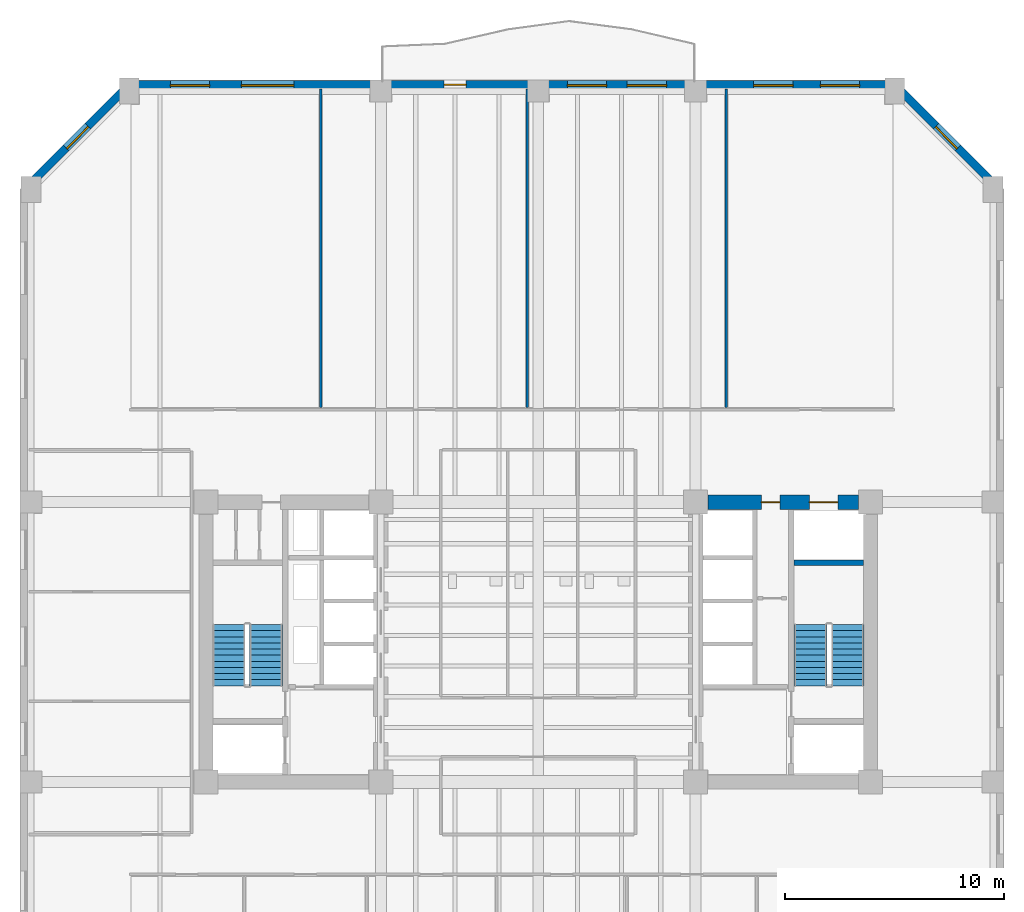
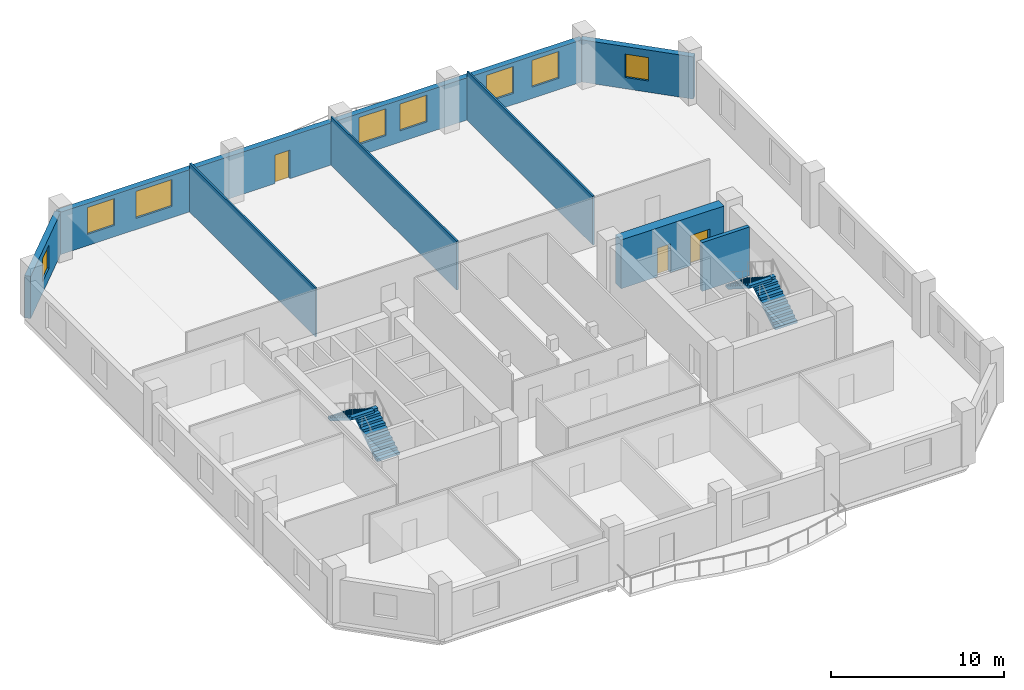
# One storey, part 5 of 10: 8 walls, 8 windows, 4 stair flights, 3 doors, 11 openings, 2 elements without a shape of their own.
"""IFC4 building model written with IfcOpenShell, lengths in metres."""

from ifc_helpers import new_model, si_unit, direction, frame, frame_2d, origin, place, context, subcontext, project, spatial, polyline, rectangle, outline, extrude, material, layer, layer_set, type_object, element, fill, aggregate, save


model = new_model("IFC4")

# Units and contexts
model_context = context("Model", 3, precision=1e-05, world=origin(), true_north=direction((0.0, 1.0)))
body_context = subcontext(model_context, "Body", "Model", "MODEL_VIEW")
ifc_project = project(units=[si_unit("LENGTHUNIT", "METRE"), si_unit("AREAUNIT", "SQUARE_METRE"), si_unit("VOLUMEUNIT", "CUBIC_METRE"), si_unit("PLANEANGLEUNIT", "RADIAN"), si_unit("MASSUNIT", "GRAM", prefix="KILO")], contexts=[model_context])

# Site, building, storey
site_placement = place(None, origin())
site = spatial("IfcSite", under=ifc_project, at=site_placement, CompositionType="ELEMENT")
building_placement = place(site_placement, origin())
building = spatial("IfcBuilding", under=site, at=building_placement, Name="Kranthara Brick Stack", CompositionType="ELEMENT")
storey_placement = place(building_placement, frame((0.0, 0.0, 106.199951171875)))
storey = spatial("IfcBuildingStorey", under=building, at=storey_placement, Name="L26", CompositionType="ELEMENT", Elevation=106.199951171875)

# Wall, opening, window
ifc_material_1 = material(Name="Kiln-fired clay brick masonry M15", Category="masonry")
ifc_layer_1 = layer(ifc_material_1, 0.3798828125)
ifc_layer_set_1 = layer_set([ifc_layer_1], Name="Kiln-fired clay brick masonry M15")
wall_type_1 = type_object("IfcWallType", Name="WL-BRK-PIER-380", PredefinedType="STANDARD", material=ifc_layer_set_1)
wall_1_placement = place(storey_placement, frame((4.510009765625, 47.89990234375, 0.0), z_axis=(0.0, 0.0, 1.0), x_axis=(0.707106781187, 0.707106781187, 0.0)))
wall_1 = element("IfcWall", 1, at=wall_1_placement, inside=storey, type_object=wall_type_1, Name="L26 Exterior Brick Facade Wall NW 1", PredefinedType="STANDARD", context=body_context, shape_type="SweptSolid", body=[
    extrude(rectangle(XDim=6.774169921875, YDim=0.3798828125, at=frame_2d((3.38720703125, 0.0))), origin(), (0.0, 0.0, 1.0), 2.985107421875),
])
opening_1_placement = place(wall_1_placement, frame((2.68701171875, 0.0, 0.800048828125)))
opening_1 = element("IfcOpeningElement", 2, at=opening_1_placement, cuts=wall_1, Name="Opening WN10", PredefinedType="OPENING", context=body_context, shape_type="SweptSolid", body=[
    extrude(rectangle(XDim=1.39990234375, YDim=1.64990234375, at=frame_2d((0.699951171875, 0.824951171875))), frame((0.0, 0.199951171875, 0.0), z_axis=(0.0, -1.0, 0.0), x_axis=(1.0, 0.0, 0.0)), (0.0, 0.0, 1.0), 0.39990234375),
])
ifc_material_2 = material(Name="Double-glazed low-E solar control glass", Category="glass")
window_type_1 = type_object("IfcWindowType", Name="WN-CHM-1400x1750", PartitioningType="SINGLE_PANEL", PredefinedType="WINDOW", material=ifc_material_2)
window_1_placement = place(opening_1_placement, origin())
window_1 = element("IfcWindow", 3, at=window_1_placement, inside=storey, type_object=window_type_1, Name="L26 NW Chamfer Corner Window", OverallHeight=1.64990234375, OverallWidth=1.39990234375, PartitioningType="SINGLE_PANEL", PredefinedType="WINDOW", context=body_context, shape_type="SweptSolid", body=[
    extrude(rectangle(XDim=1.39990234375, YDim=1.64990234375, at=frame_2d((0.699951171875, 0.824951171875))), frame((0.0, -0.010009765625, 0.0), z_axis=(0.0, -1.0, 0.0), x_axis=(1.0, 0.0, 0.0)), (0.0, 0.0, 1.0), 0.06005859375),
])
fill(opening_1, window_1)

# Wall, openings, door, windows
wall_2_placement = place(storey_placement, frame((9.300048828125, 52.68994140625, 0.0), z_axis=(0.0, 0.0, 1.0), x_axis=(1.0, 0.0, 0.0)))
wall_2 = element("IfcWall", 4, at=wall_2_placement, inside=storey, type_object=wall_type_1, Name="L26 Exterior Brick Facade Wall NORTH 1", PredefinedType="STANDARD", context=body_context, shape_type="SweptSolid", body=[
    extrude(rectangle(XDim=35.0, YDim=0.3798828125, at=frame_2d((17.5, 0.0))), origin(), (0.0, 0.0, 1.0), 2.985107421875),
])
opening_2_placement = place(wall_2_placement, frame((14.39990234375, 0.0, 0.0)))
opening_2 = element("IfcOpeningElement", 5, at=opening_2_placement, cuts=wall_2, Name="Opening D03", PredefinedType="OPENING", context=body_context, shape_type="SweptSolid", body=[
    extrude(rectangle(XDim=1.0, YDim=2.02001953125, at=frame_2d((0.5, 1.010009765625))), frame((0.0, 0.199951171875, 0.0), z_axis=(0.0, -1.0, 0.0), x_axis=(1.0, 0.0, 0.0)), (0.0, 0.0, 1.0), 0.39990234375),
])
opening_3_placement = place(wall_2_placement, frame((1.8740234375, 0.0, 0.800048828125)))
opening_3 = element("IfcOpeningElement", 6, at=opening_3_placement, cuts=wall_2, Name="Opening WN01", PredefinedType="OPENING", context=body_context, shape_type="SweptSolid", body=[
    extrude(rectangle(XDim=1.800048828125, YDim=1.89990234375, at=frame_2d((0.89990234375, 0.949951171875))), frame((0.0, 0.199951171875, 0.0), z_axis=(0.0, -1.0, 0.0), x_axis=(1.0, 0.0, 0.0)), (0.0, 0.0, 1.0), 0.39990234375),
])
opening_4_placement = place(wall_2_placement, frame((5.1259765625, 0.0, 0.800048828125)))
opening_4 = element("IfcOpeningElement", 7, at=opening_4_placement, cuts=wall_2, Name="Opening WN02", PredefinedType="OPENING", context=body_context, shape_type="SweptSolid", body=[
    extrude(rectangle(XDim=2.39990234375, YDim=1.89990234375, at=frame_2d((1.199951171875, 0.949951171875))), frame((0.0, 0.199951171875, 0.0), z_axis=(0.0, -1.0, 0.0), x_axis=(1.0, 0.0, 0.0)), (0.0, 0.0, 1.0), 0.39990234375),
])
opening_5_placement = place(wall_2_placement, frame((20.031982421875, 0.0, 0.800048828125)))
opening_5 = element("IfcOpeningElement", 8, at=opening_5_placement, cuts=wall_2, Name="Opening WN01", PredefinedType="OPENING", context=body_context, shape_type="SweptSolid", body=[
    extrude(rectangle(XDim=1.800048828125, YDim=1.89990234375, at=frame_2d((0.89990234375, 0.949951171875))), frame((0.0, 0.199951171875, 0.0), z_axis=(0.0, -1.0, 0.0), x_axis=(1.0, 0.0, 0.0)), (0.0, 0.0, 1.0), 0.39990234375),
])
opening_6_placement = place(wall_2_placement, frame((22.76806640625, 0.0, 0.800048828125)))
opening_6 = element("IfcOpeningElement", 9, at=opening_6_placement, cuts=wall_2, Name="Opening WN01", PredefinedType="OPENING", context=body_context, shape_type="SweptSolid", body=[
    extrude(rectangle(XDim=1.800048828125, YDim=1.89990234375, at=frame_2d((0.89990234375, 0.949951171875))), frame((0.0, 0.199951171875, 0.0), z_axis=(0.0, -1.0, 0.0), x_axis=(1.0, 0.0, 0.0)), (0.0, 0.0, 1.0), 0.39990234375),
])
opening_7_placement = place(wall_2_placement, frame((28.551025390625, 0.0, 0.800048828125)))
opening_7 = element("IfcOpeningElement", 10, at=opening_7_placement, cuts=wall_2, Name="Opening WN01", PredefinedType="OPENING", context=body_context, shape_type="SweptSolid", body=[
    extrude(rectangle(XDim=1.800048828125, YDim=1.89990234375, at=frame_2d((0.89990234375, 0.949951171875))), frame((0.0, 0.199951171875, 0.0), z_axis=(0.0, -1.0, 0.0), x_axis=(1.0, 0.0, 0.0)), (0.0, 0.0, 1.0), 0.39990234375),
])
opening_8_placement = place(wall_2_placement, frame((31.59912109375, 0.0, 0.800048828125)))
opening_8 = element("IfcOpeningElement", 11, at=opening_8_placement, cuts=wall_2, Name="Opening WN01", PredefinedType="OPENING", context=body_context, shape_type="SweptSolid", body=[
    extrude(rectangle(XDim=1.800048828125, YDim=1.89990234375, at=frame_2d((0.89990234375, 0.949951171875))), frame((0.0, 0.199951171875, 0.0), z_axis=(0.0, -1.0, 0.0), x_axis=(1.0, 0.0, 0.0)), (0.0, 0.0, 1.0), 0.39990234375),
])
ifc_material_3 = material(Name="Bronze anodised aluminium and laminated glass", Category="aluminium")
door_type_1 = type_object("IfcDoorType", Name="DR-BALC-1000", OperationType="NOTDEFINED", PredefinedType="DOOR", material=ifc_material_3)
door_1_placement = place(opening_2_placement, origin())
door_1 = element("IfcDoor", 12, at=door_1_placement, inside=storey, type_object=door_type_1, Name="L26 North Balcony Terrace Door", OperationType="SINGLE_SWING_RIGHT", OverallHeight=2.02001953125, OverallWidth=1.0, PredefinedType="DOOR", context=body_context, shape_type="SweptSolid", body=[
    extrude(rectangle(XDim=1.0, YDim=2.02001953125, at=frame_2d((0.5, 1.010009765625))), frame((0.0, 0.02490234375, 0.0), z_axis=(0.0, -1.0, 0.0), x_axis=(1.0, 0.0, 0.0)), (0.0, 0.0, 1.0), 0.050048828125),
])
fill(opening_2, door_1)
ifc_material_4 = material(Name="Double-glazed low-E solar control glass", Category="glass")
window_type_2 = type_object("IfcWindowType", Name="WN-OFF-1800x2000", PartitioningType="SINGLE_PANEL", PredefinedType="WINDOW", material=ifc_material_4)
window_2_placement = place(opening_3_placement, origin())
window_2 = element("IfcWindow", 13, at=window_2_placement, inside=storey, type_object=window_type_2, Name="L26 North Deep-Set Brick Window 01", OverallHeight=1.89990234375, OverallWidth=1.800048828125, PartitioningType="SINGLE_PANEL", PredefinedType="WINDOW", context=body_context, shape_type="SweptSolid", body=[
    extrude(rectangle(XDim=1.800048828125, YDim=1.89990234375, at=frame_2d((0.89990234375, 0.949951171875))), frame((0.0, -0.010009765625, 0.0), z_axis=(0.0, -1.0, 0.0), x_axis=(1.0, 0.0, 0.0)), (0.0, 0.0, 1.0), 0.06005859375),
])
fill(opening_3, window_2)
window_3_placement = place(opening_5_placement, origin())
window_3 = element("IfcWindow", 14, at=window_3_placement, inside=storey, type_object=window_type_2, Name="L26 North Deep-Set Brick Window 03", OverallHeight=1.89990234375, OverallWidth=1.800048828125, PartitioningType="SINGLE_PANEL", PredefinedType="WINDOW", context=body_context, shape_type="SweptSolid", body=[
    extrude(rectangle(XDim=1.800048828125, YDim=1.89990234375, at=frame_2d((0.89990234375, 0.949951171875))), frame((0.0, -0.010009765625, 0.0), z_axis=(0.0, -1.0, 0.0), x_axis=(1.0, 0.0, 0.0)), (0.0, 0.0, 1.0), 0.06005859375),
])
fill(opening_5, window_3)
window_4_placement = place(opening_6_placement, origin())
window_4 = element("IfcWindow", 15, at=window_4_placement, inside=storey, type_object=window_type_2, Name="L26 North Deep-Set Brick Window 04", OverallHeight=1.89990234375, OverallWidth=1.800048828125, PartitioningType="SINGLE_PANEL", PredefinedType="WINDOW", context=body_context, shape_type="SweptSolid", body=[
    extrude(rectangle(XDim=1.800048828125, YDim=1.89990234375, at=frame_2d((0.89990234375, 0.949951171875))), frame((0.0, -0.010009765625, 0.0), z_axis=(0.0, -1.0, 0.0), x_axis=(1.0, 0.0, 0.0)), (0.0, 0.0, 1.0), 0.06005859375),
])
fill(opening_6, window_4)
window_5_placement = place(opening_7_placement, origin())
window_5 = element("IfcWindow", 16, at=window_5_placement, inside=storey, type_object=window_type_2, Name="L26 North Deep-Set Brick Window 05", OverallHeight=1.89990234375, OverallWidth=1.800048828125, PartitioningType="SINGLE_PANEL", PredefinedType="WINDOW", context=body_context, shape_type="SweptSolid", body=[
    extrude(rectangle(XDim=1.800048828125, YDim=1.89990234375, at=frame_2d((0.89990234375, 0.949951171875))), frame((0.0, -0.010009765625, 0.0), z_axis=(0.0, -1.0, 0.0), x_axis=(1.0, 0.0, 0.0)), (0.0, 0.0, 1.0), 0.06005859375),
])
fill(opening_7, window_5)
window_6_placement = place(opening_8_placement, origin())
window_6 = element("IfcWindow", 17, at=window_6_placement, inside=storey, type_object=window_type_2, Name="L26 North Deep-Set Brick Window 06", OverallHeight=1.89990234375, OverallWidth=1.800048828125, PartitioningType="SINGLE_PANEL", PredefinedType="WINDOW", context=body_context, shape_type="SweptSolid", body=[
    extrude(rectangle(XDim=1.800048828125, YDim=1.89990234375, at=frame_2d((0.89990234375, 0.949951171875))), frame((0.0, -0.010009765625, 0.0), z_axis=(0.0, -1.0, 0.0), x_axis=(1.0, 0.0, 0.0)), (0.0, 0.0, 1.0), 0.06005859375),
])
fill(opening_8, window_6)
ifc_material_5 = material(Name="Double-glazed low-E solar control glass", Category="glass")
window_type_3 = type_object("IfcWindowType", Name="WN-OFF-2400x2000", PartitioningType="DOUBLE_PANEL_VERTICAL", PredefinedType="WINDOW", material=ifc_material_5)
window_7_placement = place(opening_4_placement, origin())
window_7 = element("IfcWindow", 18, at=window_7_placement, inside=storey, type_object=window_type_3, Name="L26 North Deep-Set Brick Window 02", OverallHeight=1.89990234375, OverallWidth=2.39990234375, PartitioningType="SINGLE_PANEL", PredefinedType="WINDOW", context=body_context, shape_type="SweptSolid", body=[
    extrude(rectangle(XDim=2.39990234375, YDim=1.89990234375, at=frame_2d((1.199951171875, 0.949951171875))), frame((0.0, -0.010009765625, 0.0), z_axis=(0.0, -1.0, 0.0), x_axis=(1.0, 0.0, 0.0)), (0.0, 0.0, 1.0), 0.06005859375),
])
fill(opening_4, window_7)

# Wall, opening, window
wall_3_placement = place(storey_placement, frame((44.300048828125, 52.68994140625, 0.0), z_axis=(0.0, 0.0, 1.0), x_axis=(0.707106781187, -0.707106781187, 0.0)))
wall_3 = element("IfcWall", 19, at=wall_3_placement, inside=storey, type_object=wall_type_1, Name="L26 Exterior Brick Facade Wall NE 1", PredefinedType="STANDARD", context=body_context, shape_type="SweptSolid", body=[
    extrude(rectangle(XDim=6.774169921875, YDim=0.3798828125, at=frame_2d((3.38720703125, 0.0))), origin(), (0.0, 0.0, 1.0), 2.985107421875),
])
opening_9_placement = place(wall_3_placement, frame((2.68701171875, 0.0, 0.800048828125)))
opening_9 = element("IfcOpeningElement", 20, at=opening_9_placement, cuts=wall_3, Name="Opening WN10", PredefinedType="OPENING", context=body_context, shape_type="SweptSolid", body=[
    extrude(rectangle(XDim=1.39990234375, YDim=1.64990234375, at=frame_2d((0.699951171875, 0.824951171875))), frame((0.0, 0.199951171875, 0.0), z_axis=(0.0, -1.0, 0.0), x_axis=(1.0, 0.0, 0.0)), (0.0, 0.0, 1.0), 0.39990234375),
])
window_8_placement = place(opening_9_placement, origin())
window_8 = element("IfcWindow", 21, at=window_8_placement, inside=storey, type_object=window_type_1, Name="L26 NE Chamfer Corner Window", OverallHeight=1.64990234375, OverallWidth=1.39990234375, PartitioningType="SINGLE_PANEL", PredefinedType="WINDOW", context=body_context, shape_type="SweptSolid", body=[
    extrude(rectangle(XDim=1.39990234375, YDim=1.64990234375, at=frame_2d((0.699951171875, 0.824951171875))), frame((0.0, -0.010009765625, 0.0), z_axis=(0.0, -1.0, 0.0), x_axis=(1.0, 0.0, 0.0)), (0.0, 0.0, 1.0), 0.06005859375),
])
fill(opening_9, window_8)

# Wall
ifc_material_6 = material(Name="Concrete C50/60", Category="concrete")
ifc_layer_2 = layer(ifc_material_6, 0.25)
ifc_layer_set_2 = layer_set([ifc_layer_2], Name="Concrete C50/60")
wall_type_2 = type_object("IfcWallType", Name="WL-CORE-250", PredefinedType="SHEAR", material=ifc_layer_set_2)
wall_4_placement = place(storey_placement, frame((39.68994140625, 30.830078125, 0.0), z_axis=(0.0, 0.0, 1.0), x_axis=(1.0, 0.0, 0.0)))
element("IfcWall", 22, at=wall_4_placement, inside=storey, type_object=wall_type_2, Name="L26 East Stairwell Bearing Wall EST", PredefinedType="SHEAR", context=body_context, shape_type="SweptSolid", body=[
    extrude(rectangle(XDim=3.175048828125, YDim=0.25, at=frame_2d((1.58740234375, 0.0))), origin(), (0.0, 0.0, 1.0), 3.449951171875),
])

# Wall, openings, doors
ifc_material_7 = material(Name="Concrete C60/75", Category="concrete")
ifc_layer_3 = layer(ifc_material_7, 0.64990234375)
ifc_layer_set_3 = layer_set([ifc_layer_3], Name="Concrete C60/75")
wall_type_3 = type_object("IfcWallType", Name="WL-CORE-650", PredefinedType="SHEAR", material=ifc_layer_set_3)
wall_5_placement = place(storey_placement, frame((35.7548828125, 33.60009765625, 0.0), z_axis=(0.0, 0.0, 1.0), x_axis=(1.0, 0.0, 0.0)))
wall_5 = element("IfcWall", 23, at=wall_5_placement, inside=storey, type_object=wall_type_3, Name="L26 East Core Shear Wall North", PredefinedType="SHEAR", context=body_context, shape_type="SweptSolid", body=[
    extrude(rectangle(XDim=6.89013671875, YDim=0.64990234375, at=frame_2d((3.445068359375, 0.0))), origin(), (0.0, 0.0, 1.0), 3.449951171875),
])
opening_10_placement = place(wall_5_placement, frame((4.64501953125, 0.0, 0.0)))
opening_10 = element("IfcOpeningElement", 24, at=opening_10_placement, cuts=wall_5, Name="Opening LD03", PredefinedType="OPENING", context=body_context, shape_type="SweptSolid", body=[
    extrude(rectangle(XDim=1.300048828125, YDim=2.14990234375, at=frame_2d((0.64990234375, 1.074951171875))), frame((0.0, 0.3349609375, 0.0), z_axis=(0.0, -1.0, 0.0), x_axis=(1.0, 0.0, 0.0)), (0.0, 0.0, 1.0), 0.669921875),
])
opening_11_placement = place(wall_5_placement, frame((2.445068359375, 0.0, 0.0)))
opening_11 = element("IfcOpeningElement", 25, at=opening_11_placement, cuts=wall_5, Name="Opening D10", PredefinedType="OPENING", context=body_context, shape_type="SweptSolid", body=[
    extrude(rectangle(XDim=0.85009765625, YDim=2.02001953125, at=frame_2d((0.425048828125, 1.010009765625))), frame((0.0, 0.3349609375, 0.0), z_axis=(0.0, -1.0, 0.0), x_axis=(1.0, 0.0, 0.0)), (0.0, 0.0, 1.0), 0.669921875),
])
ifc_material_8 = material(Name="Stainless steel sliding landing door", Category="steel")
door_type_2 = type_object("IfcDoorType", Name="DR-LD-SV1300", OperationType="DOUBLE_DOOR_SLIDING", PredefinedType="DOOR", material=ifc_material_8)
door_2_placement = place(opening_10_placement, origin())
door_2 = element("IfcDoor", 26, at=door_2_placement, inside=storey, type_object=door_type_2, Name="L26 Stretcher Service Lift SV-01 Landing Door", OperationType="DOUBLE_DOOR_SLIDING", OverallHeight=2.14990234375, OverallWidth=1.300048828125, PredefinedType="DOOR", context=body_context, shape_type="SweptSolid", body=[
    extrude(rectangle(XDim=1.300048828125, YDim=2.14990234375, at=frame_2d((0.64990234375, 1.074951171875))), frame((0.0, 0.02490234375, 0.0), z_axis=(0.0, -1.0, 0.0), x_axis=(1.0, 0.0, 0.0)), (0.0, 0.0, 1.0), 0.050048828125),
])
fill(opening_10, door_2)
ifc_material_9 = material(Name="Solid-core hardwood timber leaf in steel frame", Category="steel")
door_type_3 = type_object("IfcDoorType", Name="DR-RSR-850", OperationType="NOTDEFINED", PredefinedType="DOOR", material=ifc_material_9)
door_3_placement = place(opening_11_placement, origin())
door_3 = element("IfcDoor", 27, at=door_3_placement, inside=storey, type_object=door_type_3, Name="L26 East Core Service Room Door", OperationType="SINGLE_SWING_LEFT", OverallHeight=2.02001953125, OverallWidth=0.85009765625, PredefinedType="DOOR", context=body_context, shape_type="SweptSolid", body=[
    extrude(rectangle(XDim=0.85009765625, YDim=2.02001953125, at=frame_2d((0.425048828125, 1.010009765625))), frame((0.0, 0.02490234375, 0.0), z_axis=(0.0, -1.0, 0.0), x_axis=(1.0, 0.0, 0.0)), (0.0, 0.0, 1.0), 0.050048828125),
])
fill(opening_11, door_3)

# Walls
ifc_material_10 = material(Name="Acoustic gypsum plasterboard partition", Category="other")
ifc_layer_4 = layer(ifc_material_10, 0.1201171875)
ifc_layer_set_4 = layer_set([ifc_layer_4], Name="Acoustic gypsum plasterboard partition")
wall_type_4 = type_object("IfcWallType", Name="WL-PART-120", PredefinedType="PARTITIONING", material=ifc_layer_set_4)
for number, where, z_axis, x_axis, name in (
    (28, (18.050048828125, 37.919921875, 0.0), (0.0, 0.0, 1.0), (0.0, 1.0, 0.0), "L26 Interior Partition 021"),
    (29, (27.5, 37.919921875, 0.0), (0.0, 0.0, 1.0), (0.0, 1.0, 0.0), "L26 Interior Partition 022"),
    (30, (36.60009765625, 37.919921875, 0.0), (0.0, 0.0, 1.0), (0.0, 1.0, 0.0), "L26 Interior Partition 023"),
):
    element("IfcWall", number, at=place(storey_placement, frame(where, z_axis=z_axis, x_axis=x_axis)), inside=storey, type_object=wall_type_4, Name=name, PredefinedType="PARTITIONING", context=body_context, shape_type="SweptSolid", body=[
        extrude(rectangle(XDim=14.5751953125, YDim=0.1201171875, at=frame_2d((7.28759765625, 0.0))), origin(), (0.0, 0.0, 1.0), 3.449951171875),
    ])

# Stair, stair flights
ifc_material_11 = material(Name="Concrete C45/55", Category="concrete")
stair_type = type_object("IfcStairType", Name="ST-CORE-22R", PredefinedType="HALF_TURN_STAIR", material=ifc_material_11)
stair_1_placement = place(storey_placement, origin())
stair_1 = element("IfcStair", 31, at=stair_1_placement, inside=storey, type_object=stair_type, Name="L26 West Core Protected Exit Stair ST01", PredefinedType="HALF_TURN_STAIR")
ifc_material_12 = material(Name="Concrete C45/55", Category="concrete")
stair_flight_type = type_object("IfcStairFlightType", Name="SFL-RC-22R", PredefinedType="STRAIGHT", material=ifc_material_12)
stair_flight_1_placement = place(storey_placement, frame((15.550048828125, 25.199951171875, 0.0), z_axis=(0.0, 0.0, 1.0), x_axis=(0.0, 1.0, 0.0)))
stair_flight_1 = element("IfcStairFlight", 32, at=stair_flight_1_placement, type_object=stair_flight_type, Name="ST01 flight 1", NumberOfRisers=11, NumberOfTreads=10, PredefinedType="STRAIGHT", RiserHeight=0.177272727, TreadLength=0.28, context=body_context, shape_type="SweptSolid", body=[
    extrude(outline(polyline([(0.0, 0.0), (0.0, 0.17724609375), (0.280029296875, 0.17724609375), (0.280029296875, 0.3544921875), (0.56005859375, 0.3544921875), (0.56005859375, 0.53173828125), (0.840087890625, 0.53173828125), (0.840087890625, 0.708984375), (1.1201171875, 0.708984375), (1.1201171875, 0.886474609375), (1.39990234375, 0.886474609375), (1.39990234375, 1.063720703125), (1.679931640625, 1.063720703125), (1.679931640625, 1.240966796875), (1.9599609375, 1.240966796875), (1.9599609375, 1.418212890625), (2.239990234375, 1.418212890625), (2.239990234375, 1.595458984375), (2.52001953125, 1.595458984375), (2.52001953125, 1.772705078125), (2.800048828125, 1.772705078125), (2.800048828125, 1.949951171875), (2.800048828125, 1.59521484375), (0.2802734375, 0.0), (0.0, 0.0)])), frame((0.0, 0.75, 0.0), z_axis=(0.0, -1.0, 0.0), x_axis=(1.0, 0.0, 0.0)), (0.0, 0.0, 1.0), 1.5),
])
stair_flight_2_placement = place(storey_placement, frame((13.85009765625, 28.0, 1.949951171875), z_axis=(0.0, 0.0, 1.0), x_axis=(0.0, -1.0, 0.0)))
stair_flight_2 = element("IfcStairFlight", 33, at=stair_flight_2_placement, type_object=stair_flight_type, Name="ST01 flight 2", NumberOfRisers=11, NumberOfTreads=10, PredefinedType="STRAIGHT", RiserHeight=0.177272727, TreadLength=0.28, context=body_context, shape_type="SweptSolid", body=[
    extrude(outline(polyline([(0.0, 0.0), (0.0, 0.17724609375), (0.280029296875, 0.17724609375), (0.280029296875, 0.3544921875), (0.56005859375, 0.3544921875), (0.56005859375, 0.53173828125), (0.840087890625, 0.53173828125), (0.840087890625, 0.708984375), (1.1201171875, 0.708984375), (1.1201171875, 0.886474609375), (1.39990234375, 0.886474609375), (1.39990234375, 1.063720703125), (1.679931640625, 1.063720703125), (1.679931640625, 1.240966796875), (1.9599609375, 1.240966796875), (1.9599609375, 1.418212890625), (2.239990234375, 1.418212890625), (2.239990234375, 1.595458984375), (2.52001953125, 1.595458984375), (2.52001953125, 1.772705078125), (2.800048828125, 1.772705078125), (2.800048828125, 1.949951171875), (2.800048828125, 1.59521484375), (0.2802734375, 0.0), (0.0, 0.0)])), frame((0.0, 0.75, 0.0), z_axis=(0.0, -1.0, 0.0), x_axis=(1.0, 0.0, 0.0)), (0.0, 0.0, 1.0), 1.5),
])
aggregate(stair_1, [stair_flight_1, stair_flight_2])

stair_2_placement = place(storey_placement, origin())
stair_2 = element("IfcStair", 34, at=stair_2_placement, inside=storey, type_object=stair_type, Name="L26 East Core Protected Exit Stair ST02", PredefinedType="HALF_TURN_STAIR")
stair_flight_3_placement = place(storey_placement, frame((42.14990234375, 25.199951171875, 0.0), z_axis=(0.0, 0.0, 1.0), x_axis=(0.0, 1.0, 0.0)))
stair_flight_3 = element("IfcStairFlight", 35, at=stair_flight_3_placement, type_object=stair_flight_type, Name="ST02 flight 1", NumberOfRisers=11, NumberOfTreads=10, PredefinedType="STRAIGHT", RiserHeight=0.177272727, TreadLength=0.28, context=body_context, shape_type="SweptSolid", body=[
    extrude(outline(polyline([(0.0, 0.0), (0.0, 0.17724609375), (0.280029296875, 0.17724609375), (0.280029296875, 0.3544921875), (0.56005859375, 0.3544921875), (0.56005859375, 0.53173828125), (0.840087890625, 0.53173828125), (0.840087890625, 0.708984375), (1.1201171875, 0.708984375), (1.1201171875, 0.886474609375), (1.39990234375, 0.886474609375), (1.39990234375, 1.063720703125), (1.679931640625, 1.063720703125), (1.679931640625, 1.240966796875), (1.9599609375, 1.240966796875), (1.9599609375, 1.418212890625), (2.239990234375, 1.418212890625), (2.239990234375, 1.595458984375), (2.52001953125, 1.595458984375), (2.52001953125, 1.772705078125), (2.800048828125, 1.772705078125), (2.800048828125, 1.949951171875), (2.800048828125, 1.59521484375), (0.2802734375, 0.0), (0.0, 0.0)])), frame((0.0, 0.75, 0.0), z_axis=(0.0, -1.0, 0.0), x_axis=(1.0, 0.0, 0.0)), (0.0, 0.0, 1.0), 1.5),
])
stair_flight_4_placement = place(storey_placement, frame((40.449951171875, 28.0, 1.949951171875), z_axis=(0.0, 0.0, 1.0), x_axis=(0.0, -1.0, 0.0)))
stair_flight_4 = element("IfcStairFlight", 36, at=stair_flight_4_placement, type_object=stair_flight_type, Name="ST02 flight 2", NumberOfRisers=11, NumberOfTreads=10, PredefinedType="STRAIGHT", RiserHeight=0.177272727, TreadLength=0.28, context=body_context, shape_type="SweptSolid", body=[
    extrude(outline(polyline([(0.0, 0.0), (0.0, 0.17724609375), (0.280029296875, 0.17724609375), (0.280029296875, 0.3544921875), (0.56005859375, 0.3544921875), (0.56005859375, 0.53173828125), (0.840087890625, 0.53173828125), (0.840087890625, 0.708984375), (1.1201171875, 0.708984375), (1.1201171875, 0.886474609375), (1.39990234375, 0.886474609375), (1.39990234375, 1.063720703125), (1.679931640625, 1.063720703125), (1.679931640625, 1.240966796875), (1.9599609375, 1.240966796875), (1.9599609375, 1.418212890625), (2.239990234375, 1.418212890625), (2.239990234375, 1.595458984375), (2.52001953125, 1.595458984375), (2.52001953125, 1.772705078125), (2.800048828125, 1.772705078125), (2.800048828125, 1.949951171875), (2.800048828125, 1.59521484375), (0.2802734375, 0.0), (0.0, 0.0)])), frame((0.0, 0.75, 0.0), z_axis=(0.0, -1.0, 0.0), x_axis=(1.0, 0.0, 0.0)), (0.0, 0.0, 1.0), 1.5),
])
aggregate(stair_2, [stair_flight_3, stair_flight_4])

save(model, "model.ifc")
